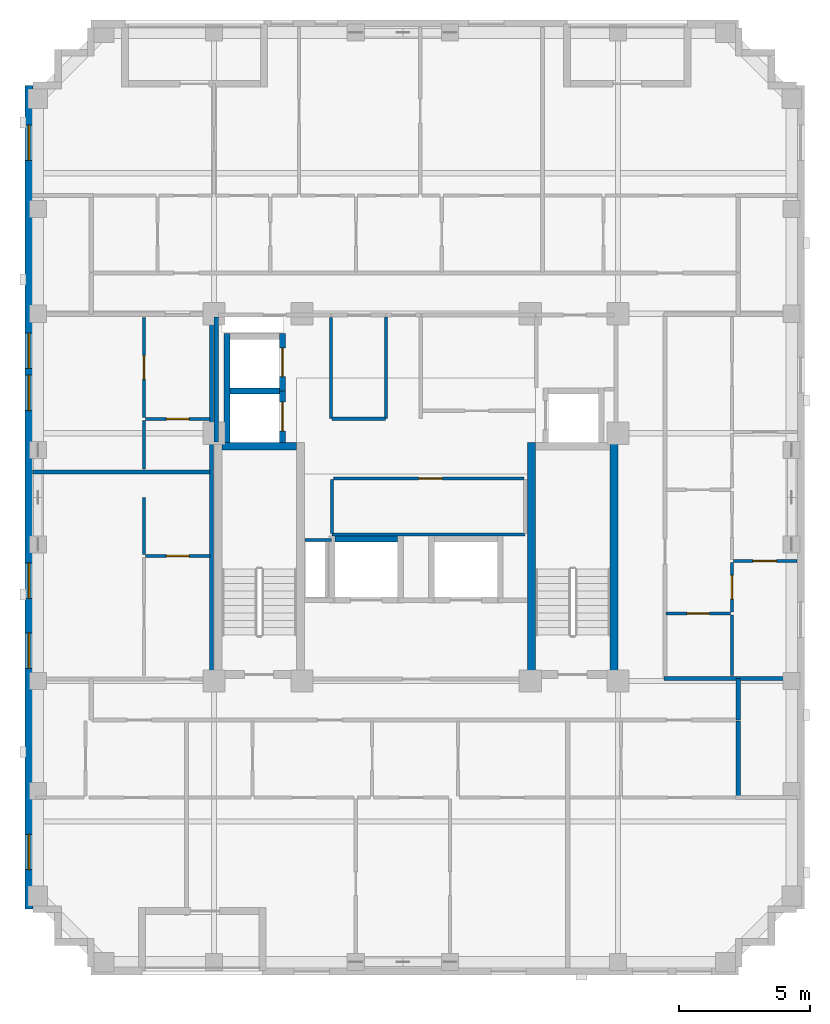
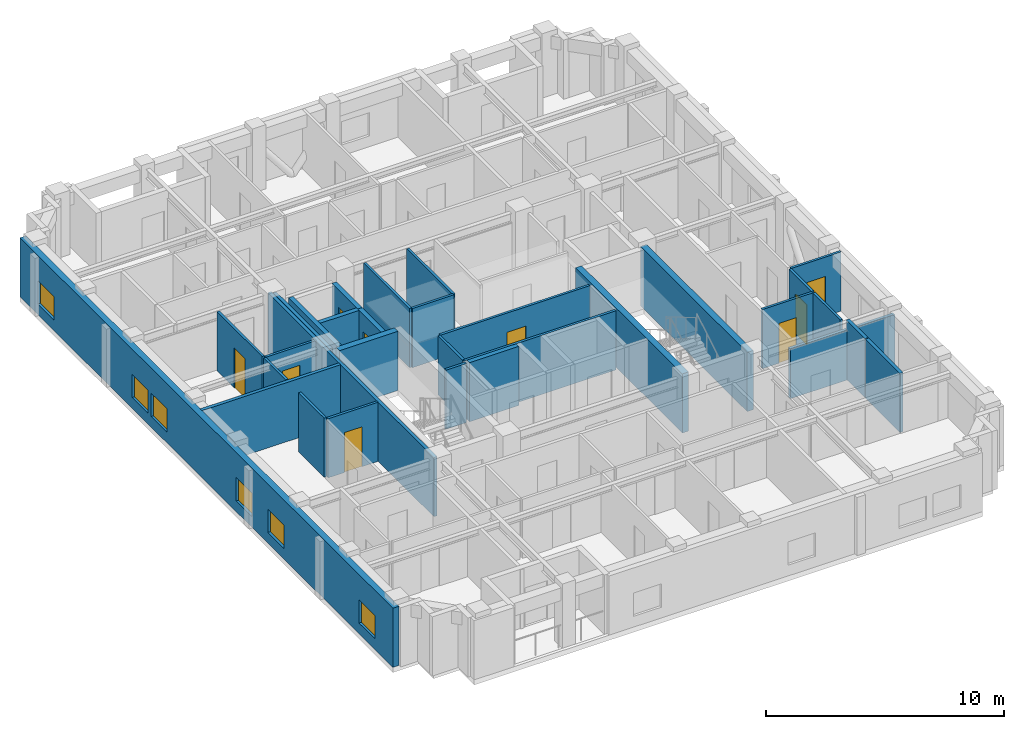
# One storey, part 4 of 10: 31 walls, 9 doors, 6 windows, 15 openings.
"""IFC4 building model written with IfcOpenShell, lengths in metres."""

from ifc_helpers import new_model, si_unit, derived_unit, direction, frame, frame_2d, origin, place, context, subcontext, project, spatial, rectangle, extrude, material, layer, layer_set, type_object, element, fill, save


model = new_model("IFC4")

# Units and contexts
model_context = context("Model", 3, precision=1e-05, world=origin(), true_north=direction((0.0, 1.0)))
body_context = subcontext(model_context, "Body", "Model", "MODEL_VIEW")
ifc_project = project(units=[si_unit("LENGTHUNIT", "METRE"), si_unit("AREAUNIT", "SQUARE_METRE"), si_unit("VOLUMEUNIT", "CUBIC_METRE"), si_unit("PLANEANGLEUNIT", "RADIAN"), si_unit("MASSUNIT", "GRAM", prefix="KILO"), derived_unit("THERMALTRANSMITTANCEUNIT", [(si_unit("MASSUNIT", "GRAM", prefix="KILO"), 1), (si_unit("TIMEUNIT", "SECOND"), -3), (si_unit("THERMODYNAMICTEMPERATUREUNIT", "KELVIN"), -1)])], contexts=[model_context])

# Site, building, storey
site_placement = place(None, origin())
site = spatial("IfcSite", under=ifc_project, at=site_placement, CompositionType="ELEMENT")
building_placement = place(site_placement, origin())
building = spatial("IfcBuilding", under=site, at=building_placement, Name="Korrvale Station Residences", CompositionType="ELEMENT")
storey_placement = place(building_placement, frame((0.0, 0.0, 204.10009765625)))
storey = spatial("IfcBuildingStorey", under=building, at=storey_placement, Name="L59", CompositionType="ELEMENT", Elevation=204.10009765625)

# Walls
ifc_material_1 = material(Name="Concrete C50/60", Category="concrete")
ifc_layer_1 = layer(ifc_material_1, 0.300048828125, Name="Concrete C50/60")
ifc_layer_set_1 = layer_set([ifc_layer_1], Name="Concrete C50/60")
wall_type_1 = type_object("IfcWallType", Name="WAL-CORE-300-C50", PredefinedType="SHEAR", material=ifc_layer_set_1)
wall_1_placement = place(storey_placement, frame((18.10009765625, 23.949951171875, 0.0), z_axis=(0.0, 0.0, 1.0), x_axis=(1.0, 0.0, 0.0)))
element("IfcWall", 1, at=wall_1_placement, inside=storey, type_object=wall_type_1, Name="L59 ST-1 Core Shear Wall North", PredefinedType="SHEAR", context=body_context, shape_type="SweptSolid", body=[
    extrude(rectangle(XDim=2.849853515625, YDim=0.300048828125, at=frame_2d((1.4248046875, 0.0))), origin(), (0.0, 0.0, 1.0), 3.039794921875),
])
for number, where, z_axis, x_axis, name in (
    (2, (29.89990234375, 15.10009765625, 0.0), (0.0, 0.0, 1.0), (0.0, 1.0, 0.0), "L59 ST-2 Core Shear Wall West"),
    (3, (33.050048828125, 15.10009765625, 0.0), (0.0, 0.0, 1.0), (0.0, 1.0, 0.0), "L59 ST-2 Core Shear Wall East"),
):
    element("IfcWall", number, at=place(storey_placement, frame(where, z_axis=z_axis, x_axis=x_axis)), inside=storey, type_object=wall_type_1, Name=name, PredefinedType="SHEAR", context=body_context, shape_type="SweptSolid", body=[
        extrude(rectangle(XDim=9.0, YDim=0.300048828125, at=frame_2d((4.5, 0.0))), origin(), (0.0, 0.0, 1.0), 3.039794921875),
    ])

# Wall, openings, windows
ifc_material_2 = material(Name="Precast concrete C45/55", Category="concrete")
ifc_layer_2 = layer(ifc_material_2, 0.300048828125, Name="Precast concrete C45/55")
ifc_layer_set_2 = layer_set([ifc_layer_2], Name="Precast concrete C45/55")
wall_type_2 = type_object("IfcWallType", Name="WAL-EXT-PC300", PredefinedType="SOLIDWALL", material=ifc_layer_set_2)
wall_2_placement = place(storey_placement, frame((10.75, 6.300048828125, 0.0), z_axis=(0.0, 0.0, 1.0), x_axis=(0.0, 1.0, 0.0)))
wall_2 = element("IfcWall", 4, at=wall_2_placement, inside=storey, type_object=wall_type_2, Name="L59 West Exterior Precast Wall 1", PredefinedType="SOLIDWALL", context=body_context, shape_type="SweptSolid", body=[
    extrude(rectangle(XDim=31.39990234375, YDim=0.300048828125, at=frame_2d((15.699951171875, 0.0))), origin(), (0.0, 0.0, 1.0), 3.039794921875),
])
opening_1_placement = place(wall_2_placement, frame((1.50390625, 0.0, 0.550048828125)))
opening_1 = element("IfcOpeningElement", 5, at=opening_1_placement, cuts=wall_2, Name="Opening W-10", PredefinedType="OPENING", context=body_context, shape_type="SweptSolid", body=[
    extrude(rectangle(XDim=1.35009765625, YDim=1.199951171875, at=frame_2d((0.675048828125, 0.60009765625))), frame((0.0, 0.16015625, 0.0), z_axis=(0.0, -1.0, 0.0), x_axis=(1.0, 0.0, 0.0)), (0.0, 0.0, 1.0), 0.320068359375),
])
opening_2_placement = place(wall_2_placement, frame((28.5458984375, 0.0, 0.550048828125)))
opening_2 = element("IfcOpeningElement", 6, at=opening_2_placement, cuts=wall_2, Name="Opening W-10", PredefinedType="OPENING", context=body_context, shape_type="SweptSolid", body=[
    extrude(rectangle(XDim=1.35009765625, YDim=1.199951171875, at=frame_2d((0.675048828125, 0.60009765625))), frame((0.0, 0.16015625, 0.0), z_axis=(0.0, -1.0, 0.0), x_axis=(1.0, 0.0, 0.0)), (0.0, 0.0, 1.0), 0.320068359375),
])
opening_3_placement = place(wall_2_placement, frame((11.85009765625, 0.0, 0.550048828125)))
opening_3 = element("IfcOpeningElement", 7, at=opening_3_placement, cuts=wall_2, Name="Opening W-10", PredefinedType="OPENING", context=body_context, shape_type="SweptSolid", body=[
    extrude(rectangle(XDim=1.35009765625, YDim=1.199951171875, at=frame_2d((0.675048828125, 0.60009765625))), frame((0.0, 0.16015625, 0.0), z_axis=(0.0, -1.0, 0.0), x_axis=(1.0, 0.0, 0.0)), (0.0, 0.0, 1.0), 0.320068359375),
])
opening_4_placement = place(wall_2_placement, frame((9.18505859375, 0.0, 0.550048828125)))
opening_4 = element("IfcOpeningElement", 8, at=opening_4_placement, cuts=wall_2, Name="Opening W-10", PredefinedType="OPENING", context=body_context, shape_type="SweptSolid", body=[
    extrude(rectangle(XDim=1.35009765625, YDim=1.199951171875, at=frame_2d((0.675048828125, 0.60009765625))), frame((0.0, 0.16015625, 0.0), z_axis=(0.0, -1.0, 0.0), x_axis=(1.0, 0.0, 0.0)), (0.0, 0.0, 1.0), 0.320068359375),
])
opening_5_placement = place(wall_2_placement, frame((19.006103515625, 0.0, 0.550048828125)))
opening_5 = element("IfcOpeningElement", 9, at=opening_5_placement, cuts=wall_2, Name="Opening W-10", PredefinedType="OPENING", context=body_context, shape_type="SweptSolid", body=[
    extrude(rectangle(XDim=1.35009765625, YDim=1.199951171875, at=frame_2d((0.675048828125, 0.60009765625))), frame((0.0, 0.16015625, 0.0), z_axis=(0.0, -1.0, 0.0), x_axis=(1.0, 0.0, 0.0)), (0.0, 0.0, 1.0), 0.320068359375),
])
opening_6_placement = place(wall_2_placement, frame((20.615966796875, 0.0, 0.550048828125)))
opening_6 = element("IfcOpeningElement", 10, at=opening_6_placement, cuts=wall_2, Name="Opening W-10", PredefinedType="OPENING", context=body_context, shape_type="SweptSolid", body=[
    extrude(rectangle(XDim=1.35009765625, YDim=1.199951171875, at=frame_2d((0.675048828125, 0.60009765625))), frame((0.0, 0.16015625, 0.0), z_axis=(0.0, -1.0, 0.0), x_axis=(1.0, 0.0, 0.0)), (0.0, 0.0, 1.0), 0.320068359375),
])
ifc_material_3 = material(Name="Thermally broken aluminium frame with triple low-e glazing", Category="aluminium")
window_type = type_object("IfcWindowType", Name="WIN-W10", PartitioningType="SINGLE_PANEL", PredefinedType="WINDOW", material=ifc_material_3)
window_1_placement = place(opening_1_placement, origin())
window_1 = element("IfcWindow", 11, at=window_1_placement, inside=storey, type_object=window_type, Name="L59 Punched Window 01", OverallHeight=1.199951171875, OverallWidth=1.35009765625, PartitioningType="SINGLE_PANEL", PredefinedType="WINDOW", context=body_context, shape_type="SweptSolid", body=[
    extrude(rectangle(XDim=1.35009765625, YDim=1.199951171875, at=frame_2d((0.675048828125, 0.60009765625))), frame((0.0, 0.030029296875, 0.0), z_axis=(0.0, -1.0, 0.0), x_axis=(1.0, 0.0, 0.0)), (0.0, 0.0, 1.0), 0.06005859375),
])
fill(opening_1, window_1)
window_2_placement = place(opening_2_placement, origin())
window_2 = element("IfcWindow", 12, at=window_2_placement, inside=storey, type_object=window_type, Name="L59 Punched Window 06", OverallHeight=1.199951171875, OverallWidth=1.35009765625, PartitioningType="SINGLE_PANEL", PredefinedType="WINDOW", context=body_context, shape_type="SweptSolid", body=[
    extrude(rectangle(XDim=1.35009765625, YDim=1.199951171875, at=frame_2d((0.675048828125, 0.60009765625))), frame((0.0, 0.030029296875, 0.0), z_axis=(0.0, -1.0, 0.0), x_axis=(1.0, 0.0, 0.0)), (0.0, 0.0, 1.0), 0.06005859375),
])
fill(opening_2, window_2)
window_3_placement = place(opening_3_placement, origin())
window_3 = element("IfcWindow", 13, at=window_3_placement, inside=storey, type_object=window_type, Name="L59 Punched Window 11", OverallHeight=1.199951171875, OverallWidth=1.35009765625, PartitioningType="SINGLE_PANEL", PredefinedType="WINDOW", context=body_context, shape_type="SweptSolid", body=[
    extrude(rectangle(XDim=1.35009765625, YDim=1.199951171875, at=frame_2d((0.675048828125, 0.60009765625))), frame((0.0, 0.030029296875, 0.0), z_axis=(0.0, -1.0, 0.0), x_axis=(1.0, 0.0, 0.0)), (0.0, 0.0, 1.0), 0.06005859375),
])
fill(opening_3, window_3)
window_4_placement = place(opening_4_placement, origin())
window_4 = element("IfcWindow", 14, at=window_4_placement, inside=storey, type_object=window_type, Name="L59 Punched Window 12", OverallHeight=1.199951171875, OverallWidth=1.35009765625, PartitioningType="SINGLE_PANEL", PredefinedType="WINDOW", context=body_context, shape_type="SweptSolid", body=[
    extrude(rectangle(XDim=1.35009765625, YDim=1.199951171875, at=frame_2d((0.675048828125, 0.60009765625))), frame((0.0, 0.030029296875, 0.0), z_axis=(0.0, -1.0, 0.0), x_axis=(1.0, 0.0, 0.0)), (0.0, 0.0, 1.0), 0.06005859375),
])
fill(opening_4, window_4)
window_5_placement = place(opening_5_placement, origin())
window_5 = element("IfcWindow", 15, at=window_5_placement, inside=storey, type_object=window_type, Name="L59 Punched Window 13", OverallHeight=1.199951171875, OverallWidth=1.35009765625, PartitioningType="SINGLE_PANEL", PredefinedType="WINDOW", context=body_context, shape_type="SweptSolid", body=[
    extrude(rectangle(XDim=1.35009765625, YDim=1.199951171875, at=frame_2d((0.675048828125, 0.60009765625))), frame((0.0, 0.030029296875, 0.0), z_axis=(0.0, -1.0, 0.0), x_axis=(1.0, 0.0, 0.0)), (0.0, 0.0, 1.0), 0.06005859375),
])
fill(opening_5, window_5)
window_6_placement = place(opening_6_placement, origin())
window_6 = element("IfcWindow", 16, at=window_6_placement, inside=storey, type_object=window_type, Name="L59 Punched Window 14", OverallHeight=1.199951171875, OverallWidth=1.35009765625, PartitioningType="SINGLE_PANEL", PredefinedType="WINDOW", context=body_context, shape_type="SweptSolid", body=[
    extrude(rectangle(XDim=1.35009765625, YDim=1.199951171875, at=frame_2d((0.675048828125, 0.60009765625))), frame((0.0, 0.030029296875, 0.0), z_axis=(0.0, -1.0, 0.0), x_axis=(1.0, 0.0, 0.0)), (0.0, 0.0, 1.0), 0.06005859375),
])
fill(opening_6, window_6)

# Walls
ifc_material_4 = material(Name="Acoustic steel-stud gypsum board partition", Category="steel")
ifc_layer_3 = layer(ifc_material_4, 0.1201171875, Name="Acoustic steel-stud gypsum board partition")
ifc_layer_set_3 = layer_set([ifc_layer_3], Name="Acoustic steel-stud gypsum board partition")
wall_type_3 = type_object("IfcWallType", Name="WAL-PART-125", PredefinedType="PARTITIONING", material=ifc_layer_set_3)
wall_3_placement = place(storey_placement, frame((22.280029296875, 20.3798828125, 0.0), z_axis=(0.0, 0.0, 1.0), x_axis=(-1.0, 0.0, 0.0)))
element("IfcWall", 17, at=wall_3_placement, inside=storey, type_object=wall_type_3, Name="L59 Core Partition CW-RSWT-N", PredefinedType="PARTITIONING", context=body_context, shape_type="SweptSolid", body=[
    extrude(rectangle(XDim=1.02001953125, YDim=0.1201171875, at=frame_2d((0.510009765625, 0.0))), origin(), (0.0, 0.0, 1.0), 3.039794921875),
])
wall_4_placement = place(storey_placement, frame((24.360107421875, 25.0, 0.0), z_axis=(0.0, 0.0, 1.0), x_axis=(0.0, 1.0, 0.0)))
element("IfcWall", 18, at=wall_4_placement, inside=storey, type_object=wall_type_3, Name="L59 Core Partition CW-PSG-W", PredefinedType="PARTITIONING", context=body_context, shape_type="SweptSolid", body=[
    extrude(rectangle(XDim=3.8701171875, YDim=0.1201171875, at=frame_2d((1.93505859375, 0.0))), origin(), (0.0, 0.0, 1.0), 3.039794921875),
])
wall_5_placement = place(storey_placement, frame((22.260009765625, 25.0, 0.0), z_axis=(0.0, 0.0, 1.0), x_axis=(0.0, 1.0, 0.0)))
element("IfcWall", 19, at=wall_5_placement, inside=storey, type_object=wall_type_3, Name="L59 Core Partition CW-FPLW-W", PredefinedType="PARTITIONING", context=body_context, shape_type="SweptSolid", body=[
    extrude(rectangle(XDim=3.860107421875, YDim=0.1201171875, at=frame_2d((1.93017578125, 0.0))), origin(), (0.0, 0.0, 1.0), 3.039794921875),
])
wall_6_placement = place(storey_placement, frame((22.300048828125, 25.0, 0.0), z_axis=(0.0, 0.0, 1.0), x_axis=(1.0, 0.0, 0.0)))
element("IfcWall", 20, at=wall_6_placement, inside=storey, type_object=wall_type_3, Name="L59 Core Partition CW-FPLW-S", PredefinedType="PARTITIONING", context=body_context, shape_type="SweptSolid", body=[
    extrude(rectangle(XDim=2.0400390625, YDim=0.1201171875, at=frame_2d((1.02001953125, 0.0))), origin(), (0.0, 0.0, 1.0), 3.039794921875),
])
wall_7_placement = place(storey_placement, frame((22.300048828125, 20.580078125, 0.0), z_axis=(0.0, 0.0, 1.0), x_axis=(1.0, 0.0, 0.0)))
element("IfcWall", 21, at=wall_7_placement, inside=storey, type_object=wall_type_3, Name="L59 Core Partition CW-FPM-S", PredefinedType="PARTITIONING", context=body_context, shape_type="SweptSolid", body=[
    extrude(rectangle(XDim=7.349853515625, YDim=0.1201171875, at=frame_2d((3.6748046875, 0.0))), origin(), (0.0, 0.0, 1.0), 3.039794921875),
])
wall_8_placement = place(storey_placement, frame((22.300048828125, 20.6201171875, 0.0), z_axis=(0.0, 0.0, 1.0), x_axis=(0.0, 1.0, 0.0)))
element("IfcWall", 22, at=wall_8_placement, inside=storey, type_object=wall_type_3, Name="L59 Core Partition CW-FPM-W", PredefinedType="PARTITIONING", context=body_context, shape_type="SweptSolid", body=[
    extrude(rectangle(XDim=2.059814453125, YDim=0.1201171875, at=frame_2d((1.02978515625, 0.0))), origin(), (0.0, 0.0, 1.0), 3.039794921875),
])

# Wall, opening, door
wall_9_placement = place(storey_placement, frame((22.35009765625, 22.719970703125, 0.0), z_axis=(0.0, 0.0, 1.0), x_axis=(1.0, 0.0, 0.0)))
wall_9 = element("IfcWall", 23, at=wall_9_placement, inside=storey, type_object=wall_type_3, Name="L59 Core Partition CW-FPM-N", PredefinedType="PARTITIONING", context=body_context, shape_type="SweptSolid", body=[
    extrude(rectangle(XDim=7.27001953125, YDim=0.1201171875, at=frame_2d((3.635009765625, 0.0))), origin(), (0.0, 0.0, 1.0), 3.039794921875),
])
opening_7_placement = place(wall_9_placement, frame((3.25, 0.0, 0.0)))
opening_7 = element("IfcOpeningElement", 24, at=opening_7_placement, cuts=wall_9, Name="Opening DI-900", PredefinedType="OPENING", context=body_context, shape_type="SweptSolid", body=[
    extrude(rectangle(XDim=0.89990234375, YDim=2.050048828125, at=frame_2d((0.449951171875, 1.02490234375))), frame((0.0, 0.070068359375, 0.0), z_axis=(0.0, -1.0, 0.0), x_axis=(1.0, 0.0, 0.0)), (0.0, 0.0, 1.0), 0.14013671875),
])
ifc_material_5 = material(Name="Painted solid-core timber interior room door", Category="wood")
door_type_1 = type_object("IfcDoorType", Name="DR-INT-900", OperationType="NOTDEFINED", PredefinedType="DOOR", material=ifc_material_5)
door_1_placement = place(opening_7_placement, origin())
door_1 = element("IfcDoor", 25, at=door_1_placement, inside=storey, type_object=door_type_1, Name="L59 Beverage Store Door", OperationType="SINGLE_SWING_RIGHT", OverallHeight=2.050048828125, OverallWidth=0.89990234375, PredefinedType="DOOR", context=body_context, shape_type="SweptSolid", body=[
    extrude(rectangle(XDim=0.89990234375, YDim=2.050048828125, at=frame_2d((0.449951171875, 1.02490234375))), frame((0.0, 0.02490234375, 0.0), z_axis=(0.0, -1.0, 0.0), x_axis=(1.0, 0.0, 0.0)), (0.0, 0.0, 1.0), 0.050048828125),
])
fill(opening_7, door_1)

wall_10_placement = place(storey_placement, frame((15.18994140625, 19.77001953125, 0.0), z_axis=(0.0, 0.0, 1.0), x_axis=(1.0, 0.0, 0.0)))
wall_10 = element("IfcWall", 26, at=wall_10_placement, inside=storey, type_object=wall_type_3, Name="L59 Suite Partition U06-H01", PredefinedType="PARTITIONING", context=body_context, shape_type="SweptSolid", body=[
    extrude(rectangle(XDim=2.449951171875, YDim=0.1201171875, at=frame_2d((1.22509765625, 0.0))), origin(), (0.0, 0.0, 1.0), 3.039794921875),
])
opening_8_placement = place(wall_10_placement, frame((0.794921875, 0.0, 0.0)))
opening_8 = element("IfcOpeningElement", 27, at=opening_8_placement, cuts=wall_10, Name="Opening DB-860", PredefinedType="OPENING", context=body_context, shape_type="SweptSolid", body=[
    extrude(rectangle(XDim=0.860107421875, YDim=2.050048828125, at=frame_2d((0.43017578125, 1.02490234375))), frame((0.0, 0.070068359375, 0.0), z_axis=(0.0, -1.0, 0.0), x_axis=(1.0, 0.0, 0.0)), (0.0, 0.0, 1.0), 0.14013671875),
])
ifc_material_6 = material(Name="Moisture-resistant solid-core bathroom door", Category="timber")
door_type_2 = type_object("IfcDoorType", Name="DR-BATH-860", OperationType="NOTDEFINED", PredefinedType="DOOR", material=ifc_material_6)
door_2_placement = place(opening_8_placement, origin())
door_2 = element("IfcDoor", 28, at=door_2_placement, inside=storey, type_object=door_type_2, Name="L59 Apartment 1BR L59-U06 Bathroom Door", OperationType="SINGLE_SWING_RIGHT", OverallHeight=2.050048828125, OverallWidth=0.860107421875, PredefinedType="DOOR", context=body_context, shape_type="SweptSolid", body=[
    extrude(rectangle(XDim=0.860107421875, YDim=2.050048828125, at=frame_2d((0.43017578125, 1.02490234375))), frame((0.0, 0.02490234375, 0.0), z_axis=(0.0, -1.0, 0.0), x_axis=(1.0, 0.0, 0.0)), (0.0, 0.0, 1.0), 0.050048828125),
])
fill(opening_8, door_2)

# Wall
wall_11_placement = place(storey_placement, frame((15.1298828125, 19.830078125, 0.0), z_axis=(0.0, 0.0, 1.0), x_axis=(0.0, 1.0, 0.0)))
element("IfcWall", 29, at=wall_11_placement, inside=storey, type_object=wall_type_3, Name="L59 Suite Partition U06-V02", PredefinedType="PARTITIONING", context=body_context, shape_type="SweptSolid", body=[
    extrude(rectangle(XDim=2.158935546875, YDim=0.1201171875, at=frame_2d((1.07958984375, 0.0))), origin(), (0.0, 0.0, 1.0), 3.039794921875),
])

# Wall, opening, door
wall_12_placement = place(storey_placement, frame((15.18994140625, 24.991943359375, 0.0), z_axis=(0.0, 0.0, 1.0), x_axis=(1.0, 0.0, 0.0)))
wall_12 = element("IfcWall", 30, at=wall_12_placement, inside=storey, type_object=wall_type_3, Name="L59 Suite Partition U07-H01", PredefinedType="PARTITIONING", context=body_context, shape_type="SweptSolid", body=[
    extrude(rectangle(XDim=2.449951171875, YDim=0.1201171875, at=frame_2d((1.22509765625, 0.0))), origin(), (0.0, 0.0, 1.0), 3.039794921875),
])
opening_9_placement = place(wall_12_placement, frame((0.794921875, 0.0, 0.0)))
opening_9 = element("IfcOpeningElement", 31, at=opening_9_placement, cuts=wall_12, Name="Opening DB-860", PredefinedType="OPENING", context=body_context, shape_type="SweptSolid", body=[
    extrude(rectangle(XDim=0.860107421875, YDim=2.050048828125, at=frame_2d((0.43017578125, 1.02490234375))), frame((0.0, 0.070068359375, 0.0), z_axis=(0.0, -1.0, 0.0), x_axis=(1.0, 0.0, 0.0)), (0.0, 0.0, 1.0), 0.14013671875),
])
door_3_placement = place(opening_9_placement, origin())
door_3 = element("IfcDoor", 32, at=door_3_placement, inside=storey, type_object=door_type_2, Name="L59 Apartment 1BR L59-U07 Bathroom Door", OperationType="SINGLE_SWING_LEFT", OverallHeight=2.050048828125, OverallWidth=0.860107421875, PredefinedType="DOOR", context=body_context, shape_type="SweptSolid", body=[
    extrude(rectangle(XDim=0.860107421875, YDim=2.050048828125, at=frame_2d((0.43017578125, 1.02490234375))), frame((0.0, 0.02490234375, 0.0), z_axis=(0.0, -1.0, 0.0), x_axis=(1.0, 0.0, 0.0)), (0.0, 0.0, 1.0), 0.050048828125),
])
fill(opening_9, door_3)

# Wall
wall_13_placement = place(storey_placement, frame((15.1298828125, 23.08203125, 0.0), z_axis=(0.0, 0.0, 1.0), x_axis=(0.0, 1.0, 0.0)))
element("IfcWall", 33, at=wall_13_placement, inside=storey, type_object=wall_type_3, Name="L59 Suite Partition U07-V02", PredefinedType="PARTITIONING", context=body_context, shape_type="SweptSolid", body=[
    extrude(rectangle(XDim=1.849853515625, YDim=0.1201171875, at=frame_2d((0.9248046875, 0.0))), origin(), (0.0, 0.0, 1.0), 3.039794921875),
])

# Wall, opening, door
wall_14_placement = place(storey_placement, frame((15.1298828125, 25.052001953125, 0.0), z_axis=(0.0, 0.0, 1.0), x_axis=(0.0, 1.0, 0.0)))
wall_14 = element("IfcWall", 34, at=wall_14_placement, inside=storey, type_object=wall_type_3, Name="L59 Suite Partition U07-V12", PredefinedType="PARTITIONING", context=body_context, shape_type="SweptSolid", body=[
    extrude(rectangle(XDim=3.80810546875, YDim=0.1201171875, at=frame_2d((1.904052734375, 0.0))), origin(), (0.0, 0.0, 1.0), 3.039794921875),
])
opening_10_placement = place(wall_14_placement, frame((1.4541015625, 0.0, 0.0)))
opening_10 = element("IfcOpeningElement", 35, at=opening_10_placement, cuts=wall_14, Name="Opening DI-900", PredefinedType="OPENING", context=body_context, shape_type="SweptSolid", body=[
    extrude(rectangle(XDim=0.89990234375, YDim=2.050048828125, at=frame_2d((0.449951171875, 1.02490234375))), frame((0.0, 0.070068359375, 0.0), z_axis=(0.0, -1.0, 0.0), x_axis=(1.0, 0.0, 0.0)), (0.0, 0.0, 1.0), 0.14013671875),
])
door_4_placement = place(opening_10_placement, origin())
door_4 = element("IfcDoor", 36, at=door_4_placement, inside=storey, type_object=door_type_1, Name="L59 Apartment 1BR L59-U07 Kitchen Door", OperationType="SINGLE_SWING_RIGHT", OverallHeight=2.050048828125, OverallWidth=0.89990234375, PredefinedType="DOOR", context=body_context, shape_type="SweptSolid", body=[
    extrude(rectangle(XDim=0.89990234375, YDim=2.050048828125, at=frame_2d((0.449951171875, 1.02490234375))), frame((0.0, 0.02490234375, 0.0), z_axis=(0.0, -1.0, 0.0), x_axis=(1.0, 0.0, 0.0)), (0.0, 0.0, 1.0), 0.050048828125),
])
fill(opening_10, door_4)

wall_15_placement = place(storey_placement, frame((35.030029296875, 17.570068359375, 0.0), z_axis=(0.0, 0.0, 1.0), x_axis=(1.0, 0.0, 0.0)))
wall_15 = element("IfcWall", 37, at=wall_15_placement, inside=storey, type_object=wall_type_3, Name="L59 Suite Partition U08-H12", PredefinedType="PARTITIONING", context=body_context, shape_type="SweptSolid", body=[
    extrude(rectangle(XDim=2.449951171875, YDim=0.1201171875, at=frame_2d((1.22509765625, 0.0))), origin(), (0.0, 0.0, 1.0), 3.039794921875),
])
opening_11_placement = place(wall_15_placement, frame((0.794921875, 0.0, 0.0)))
opening_11 = element("IfcOpeningElement", 38, at=opening_11_placement, cuts=wall_15, Name="Opening DB-860", PredefinedType="OPENING", context=body_context, shape_type="SweptSolid", body=[
    extrude(rectangle(XDim=0.860107421875, YDim=2.050048828125, at=frame_2d((0.43017578125, 1.02490234375))), frame((0.0, 0.070068359375, 0.0), z_axis=(0.0, -1.0, 0.0), x_axis=(1.0, 0.0, 0.0)), (0.0, 0.0, 1.0), 0.14013671875),
])
door_5_placement = place(opening_11_placement, origin())
door_5 = element("IfcDoor", 39, at=door_5_placement, inside=storey, type_object=door_type_2, Name="L59 Apartment 2BR L59-U08 Bathroom Door", OperationType="SINGLE_SWING_RIGHT", OverallHeight=2.050048828125, OverallWidth=0.860107421875, PredefinedType="DOOR", context=body_context, shape_type="SweptSolid", body=[
    extrude(rectangle(XDim=0.860107421875, YDim=2.050048828125, at=frame_2d((0.43017578125, 1.02490234375))), frame((0.0, 0.02490234375, 0.0), z_axis=(0.0, -1.0, 0.0), x_axis=(1.0, 0.0, 0.0)), (0.0, 0.0, 1.0), 0.050048828125),
])
fill(opening_11, door_5)

# Wall
wall_16_placement = place(storey_placement, frame((37.5400390625, 15.2099609375, 0.0), z_axis=(0.0, 0.0, 1.0), x_axis=(0.0, 1.0, 0.0)))
element("IfcWall", 40, at=wall_16_placement, inside=storey, type_object=wall_type_3, Name="L59 Suite Partition U08-V13", PredefinedType="PARTITIONING", context=body_context, shape_type="SweptSolid", body=[
    extrude(rectangle(XDim=2.300048828125, YDim=0.1201171875, at=frame_2d((1.14990234375, 0.0))), origin(), (0.0, 0.0, 1.0), 3.039794921875),
])

# Wall, opening, door
wall_17_placement = place(storey_placement, frame((37.5400390625, 17.6298828125, 0.0), z_axis=(0.0, 0.0, 1.0), x_axis=(0.0, 1.0, 0.0)))
wall_17 = element("IfcWall", 41, at=wall_17_placement, inside=storey, type_object=wall_type_3, Name="L59 Suite Partition U08-V23", PredefinedType="PARTITIONING", context=body_context, shape_type="SweptSolid", body=[
    extrude(rectangle(XDim=1.88818359375, YDim=0.1201171875, at=frame_2d((0.944091796875, 0.0))), origin(), (0.0, 0.0, 1.0), 3.039794921875),
])
opening_12_placement = place(wall_17_placement, frame((0.493896484375, 0.0, 0.0)))
opening_12 = element("IfcOpeningElement", 42, at=opening_12_placement, cuts=wall_17, Name="Opening DI-900", PredefinedType="OPENING", context=body_context, shape_type="SweptSolid", body=[
    extrude(rectangle(XDim=0.89990234375, YDim=2.050048828125, at=frame_2d((0.449951171875, 1.02490234375))), frame((0.0, 0.070068359375, 0.0), z_axis=(0.0, -1.0, 0.0), x_axis=(1.0, 0.0, 0.0)), (0.0, 0.0, 1.0), 0.14013671875),
])
door_6_placement = place(opening_12_placement, origin())
door_6 = element("IfcDoor", 43, at=door_6_placement, inside=storey, type_object=door_type_1, Name="L59 Apartment 2BR L59-U08 Kitchen Door", OperationType="SINGLE_SWING_LEFT", OverallHeight=2.050048828125, OverallWidth=0.89990234375, PredefinedType="DOOR", context=body_context, shape_type="SweptSolid", body=[
    extrude(rectangle(XDim=0.89990234375, YDim=2.050048828125, at=frame_2d((0.449951171875, 1.02490234375))), frame((0.0, 0.02490234375, 0.0), z_axis=(0.0, -1.0, 0.0), x_axis=(1.0, 0.0, 0.0)), (0.0, 0.0, 1.0), 0.050048828125),
])
fill(opening_12, door_6)

wall_18_placement = place(storey_placement, frame((37.60009765625, 19.577880859375, 0.0), z_axis=(0.0, 0.0, 1.0), x_axis=(1.0, 0.0, 0.0)))
wall_18 = element("IfcWall", 44, at=wall_18_placement, inside=storey, type_object=wall_type_3, Name="L59 Suite Partition U08-H34", PredefinedType="PARTITIONING", context=body_context, shape_type="SweptSolid", body=[
    extrude(rectangle(XDim=2.419921875, YDim=0.1201171875, at=frame_2d((1.2099609375, 0.0))), origin(), (0.0, 0.0, 1.0), 3.039794921875),
])
opening_13_placement = place(wall_18_placement, frame((0.7451171875, 0.0, 0.0)))
opening_13 = element("IfcOpeningElement", 45, at=opening_13_placement, cuts=wall_18, Name="Opening DI-900", PredefinedType="OPENING", context=body_context, shape_type="SweptSolid", body=[
    extrude(rectangle(XDim=0.89990234375, YDim=2.050048828125, at=frame_2d((0.449951171875, 1.02490234375))), frame((0.0, 0.070068359375, 0.0), z_axis=(0.0, -1.0, 0.0), x_axis=(1.0, 0.0, 0.0)), (0.0, 0.0, 1.0), 0.14013671875),
])
door_7_placement = place(opening_13_placement, origin())
door_7 = element("IfcDoor", 46, at=door_7_placement, inside=storey, type_object=door_type_1, Name="L59 Apartment 2BR L59-U08 Bedroom 1 Door", OperationType="SINGLE_SWING_LEFT", OverallHeight=2.050048828125, OverallWidth=0.89990234375, PredefinedType="DOOR", context=body_context, shape_type="SweptSolid", body=[
    extrude(rectangle(XDim=0.89990234375, YDim=2.050048828125, at=frame_2d((0.449951171875, 1.02490234375))), frame((0.0, 0.02490234375, 0.0), z_axis=(0.0, -1.0, 0.0), x_axis=(1.0, 0.0, 0.0)), (0.0, 0.0, 1.0), 0.050048828125),
])
fill(opening_13, door_7)

# Walls
ifc_material_7 = material(Name="Fire-rated twin-stud gypsum and mineral wool shaftwall assembly", Category="gypsum")
ifc_layer_4 = layer(ifc_material_7, 0.159912109375, Name="Fire-rated twin-stud gypsum and mineral wool shaftwall assembly")
ifc_layer_set_4 = layer_set([ifc_layer_4], Name="Fire-rated twin-stud gypsum and mineral wool shaftwall assembly")
wall_type_4 = type_object("IfcWallType", Name="WAL-PART-200", PredefinedType="PARTITIONING", material=ifc_layer_set_4)
wall_19_placement = place(storey_placement, frame((17.8798828125, 24.1201171875, 0.0), z_axis=(0.0, 0.0, 1.0), x_axis=(0.0, 1.0, 0.0)))
element("IfcWall", 47, at=wall_19_placement, inside=storey, type_object=wall_type_4, Name="L59 Core Partition CW-W-N", PredefinedType="PARTITIONING", context=body_context, shape_type="SweptSolid", body=[
    extrude(rectangle(XDim=4.759765625, YDim=0.159912109375, at=frame_2d((2.3798828125, 0.0))), origin(), (0.0, 0.0, 1.0), 3.039794921875),
])
wall_20_placement = place(storey_placement, frame((37.780029296875, 13.510009765625, 0.0), z_axis=(0.0, 0.0, 1.0), x_axis=(0.0, 1.0, 0.0)))
element("IfcWall", 48, at=wall_20_placement, inside=storey, type_object=wall_type_4, Name="L59 Corridor South East Cap", PredefinedType="PARTITIONING", context=body_context, shape_type="SweptSolid", body=[
    extrude(rectangle(XDim=1.580078125, YDim=0.159912109375, at=frame_2d((0.7900390625, 0.0))), origin(), (0.0, 0.0, 1.0), 3.039794921875),
])
wall_21_placement = place(storey_placement, frame((34.949951171875, 15.090087890625, 0.0), z_axis=(0.0, 0.0, 1.0), x_axis=(1.0, 0.0, 0.0)))
element("IfcWall", 49, at=wall_21_placement, inside=storey, type_object=wall_type_4, Name="L59 East Wing South Corridor Wall", PredefinedType="PARTITIONING", context=body_context, shape_type="SweptSolid", body=[
    extrude(rectangle(XDim=5.070068359375, YDim=0.159912109375, at=frame_2d((2.53515625, 0.0))), origin(), (0.0, 0.0, 1.0), 2.555908203125),
])
wall_22_placement = place(storey_placement, frame((37.780029296875, 10.56005859375, 0.0), z_axis=(0.0, 0.0, 1.0), x_axis=(0.0, 1.0, 0.0)))
element("IfcWall", 50, at=wall_22_placement, inside=storey, type_object=wall_type_4, Name="L59 Corner Step Cheek U03-R", PredefinedType="PARTITIONING", context=body_context, shape_type="SweptSolid", body=[
    extrude(rectangle(XDim=2.909912109375, YDim=0.159912109375, at=frame_2d((1.455078125, 0.0))), origin(), (0.0, 0.0, 1.0), 3.039794921875),
])
wall_23_placement = place(storey_placement, frame((10.8798828125, 22.9619140625, 0.0), z_axis=(0.0, 0.0, 1.0), x_axis=(1.0, 0.0, 0.0)))
element("IfcWall", 51, at=wall_23_placement, inside=storey, type_object=wall_type_4, Name="L59 Demising Wall U06-N", PredefinedType="PARTITIONING", context=body_context, shape_type="SweptSolid", body=[
    extrude(rectangle(XDim=6.760009765625, YDim=0.159912109375, at=frame_2d((3.3798828125, 0.0))), origin(), (0.0, 0.0, 1.0), 3.039794921875),
])
wall_24_placement = place(storey_placement, frame((17.699951171875, 15.02001953125, 0.0), z_axis=(0.0, 0.0, 1.0), x_axis=(0.0, 1.0, 0.0)))
element("IfcWall", 52, at=wall_24_placement, inside=storey, type_object=wall_type_4, Name="L59 Rated Corridor Wall W", PredefinedType="PARTITIONING", context=body_context, shape_type="SweptSolid", body=[
    extrude(rectangle(XDim=13.97998046875, YDim=0.159912109375, at=frame_2d((6.989990234375, 0.0))), origin(), (0.0, 0.0, 1.0), 3.039794921875),
])
ifc_layer_5 = layer(ifc_material_1, 0.219970703125, Name="Concrete C50/60")
ifc_layer_set_5 = layer_set([ifc_layer_5], Name="Concrete C50/60")
wall_type_5 = type_object("IfcWallType", Name="WAL-SHAFT-220-C50", PredefinedType="SHEAR", material=ifc_layer_set_5)
wall_25_placement = place(storey_placement, frame((18.2900390625, 24.10009765625, 0.0), z_axis=(0.0, 0.0, 1.0), x_axis=(0.0, 1.0, 0.0)))
element("IfcWall", 53, at=wall_25_placement, inside=storey, type_object=wall_type_5, Name="L59 Elevator PH-1 Hoistway Wall West", PredefinedType="SHEAR", context=body_context, shape_type="SweptSolid", body=[
    extrude(rectangle(XDim=4.139892578125, YDim=0.219970703125, at=frame_2d((2.06982421875, 0.0))), origin(), (0.0, 0.0, 1.0), 3.039794921875),
])

# Wall, opening, door
wall_26_placement = place(storey_placement, frame((20.409912109375, 24.10009765625, 0.0), z_axis=(0.0, 0.0, 1.0), x_axis=(0.0, 1.0, 0.0)))
wall_26 = element("IfcWall", 54, at=wall_26_placement, inside=storey, type_object=wall_type_5, Name="L59 Elevator PH-1 Hoistway Wall East", PredefinedType="SHEAR", context=body_context, shape_type="SweptSolid", body=[
    extrude(rectangle(XDim=1.9599609375, YDim=0.219970703125, at=frame_2d((0.97998046875, 0.0))), origin(), (0.0, 0.0, 1.0), 3.039794921875),
])
opening_14_placement = place(wall_26_placement, frame((0.429931640625, 0.0, 0.0)))
opening_14 = element("IfcOpeningElement", 55, at=opening_14_placement, cuts=wall_26, Name="Opening LD-1100", PredefinedType="OPENING", context=body_context, shape_type="SweptSolid", body=[
    extrude(rectangle(XDim=1.10009765625, YDim=2.14990234375, at=frame_2d((0.550048828125, 1.074951171875))), frame((0.0, 0.1201171875, 0.0), z_axis=(0.0, -1.0, 0.0), x_axis=(1.0, 0.0, 0.0)), (0.0, 0.0, 1.0), 0.239990234375),
])
ifc_material_8 = material(Name="Brushed stainless-steel elevator landing sliding door", Category="steel")
door_type_3 = type_object("IfcDoorType", Name="DR-LIFT-1100", OperationType="SLIDING_TO_LEFT", PredefinedType="DOOR", material=ifc_material_8)
door_8_placement = place(opening_14_placement, origin())
door_8 = element("IfcDoor", 56, at=door_8_placement, inside=storey, type_object=door_type_3, Name="L59 Elevator PH-1 Sliding Landing Door", OperationType="SLIDING_TO_LEFT", OverallHeight=2.14990234375, OverallWidth=1.10009765625, PredefinedType="DOOR", context=body_context, shape_type="SweptSolid", body=[
    extrude(rectangle(XDim=1.10009765625, YDim=2.14990234375, at=frame_2d((0.550048828125, 1.074951171875))), frame((0.0, 0.02490234375, 0.0), z_axis=(0.0, -1.0, 0.0), x_axis=(1.0, 0.0, 0.0)), (0.0, 0.0, 1.0), 0.050048828125),
])
fill(opening_14, door_8)

# Wall
wall_27_placement = place(storey_placement, frame((18.39990234375, 26.06005859375, 0.0), z_axis=(0.0, 0.0, 1.0), x_axis=(1.0, 0.0, 0.0)))
element("IfcWall", 57, at=wall_27_placement, inside=storey, type_object=wall_type_5, Name="L59 Elevator PH-2 Hoistway Wall South", PredefinedType="SHEAR", context=body_context, shape_type="SweptSolid", body=[
    extrude(rectangle(XDim=1.900146484375, YDim=0.219970703125, at=frame_2d((0.9501953125, 0.0))), origin(), (0.0, 0.0, 1.0), 3.039794921875),
])

# Wall, opening, door
wall_28_placement = place(storey_placement, frame((20.409912109375, 26.06005859375, 0.0), z_axis=(0.0, 0.0, 1.0), x_axis=(0.0, 1.0, 0.0)))
wall_28 = element("IfcWall", 58, at=wall_28_placement, inside=storey, type_object=wall_type_5, Name="L59 Elevator PH-2 Hoistway Wall East", PredefinedType="SHEAR", context=body_context, shape_type="SweptSolid", body=[
    extrude(rectangle(XDim=2.179931640625, YDim=0.219970703125, at=frame_2d((1.08984375, 0.0))), origin(), (0.0, 0.0, 1.0), 3.039794921875),
])
opening_15_placement = place(wall_28_placement, frame((0.5400390625, 0.0, 0.0)))
opening_15 = element("IfcOpeningElement", 59, at=opening_15_placement, cuts=wall_28, Name="Opening LD-1100", PredefinedType="OPENING", context=body_context, shape_type="SweptSolid", body=[
    extrude(rectangle(XDim=1.10009765625, YDim=2.14990234375, at=frame_2d((0.550048828125, 1.074951171875))), frame((0.0, 0.1201171875, 0.0), z_axis=(0.0, -1.0, 0.0), x_axis=(1.0, 0.0, 0.0)), (0.0, 0.0, 1.0), 0.239990234375),
])
door_9_placement = place(opening_15_placement, origin())
door_9 = element("IfcDoor", 60, at=door_9_placement, inside=storey, type_object=door_type_3, Name="L59 Elevator PH-2 Sliding Landing Door", OperationType="SLIDING_TO_LEFT", OverallHeight=2.14990234375, OverallWidth=1.10009765625, PredefinedType="DOOR", context=body_context, shape_type="SweptSolid", body=[
    extrude(rectangle(XDim=1.10009765625, YDim=2.14990234375, at=frame_2d((0.550048828125, 1.074951171875))), frame((0.0, 0.02490234375, 0.0), z_axis=(0.0, -1.0, 0.0), x_axis=(1.0, 0.0, 0.0)), (0.0, 0.0, 1.0), 0.050048828125),
])
fill(opening_15, door_9)

# Wall
wall_29_placement = place(storey_placement, frame((22.39990234375, 20.409912109375, 0.0), z_axis=(0.0, 0.0, 1.0), x_axis=(1.0, 0.0, 0.0)))
element("IfcWall", 61, at=wall_29_placement, inside=storey, type_object=wall_type_5, Name="L59 Elevator FFL-1 Hoistway Wall North", PredefinedType="SHEAR", context=body_context, shape_type="SweptSolid", body=[
    extrude(rectangle(XDim=2.400146484375, YDim=0.219970703125, at=frame_2d((1.2001953125, 0.0))), origin(), (0.0, 0.0, 1.0), 3.039794921875),
])

save(model, "model.ifc")
